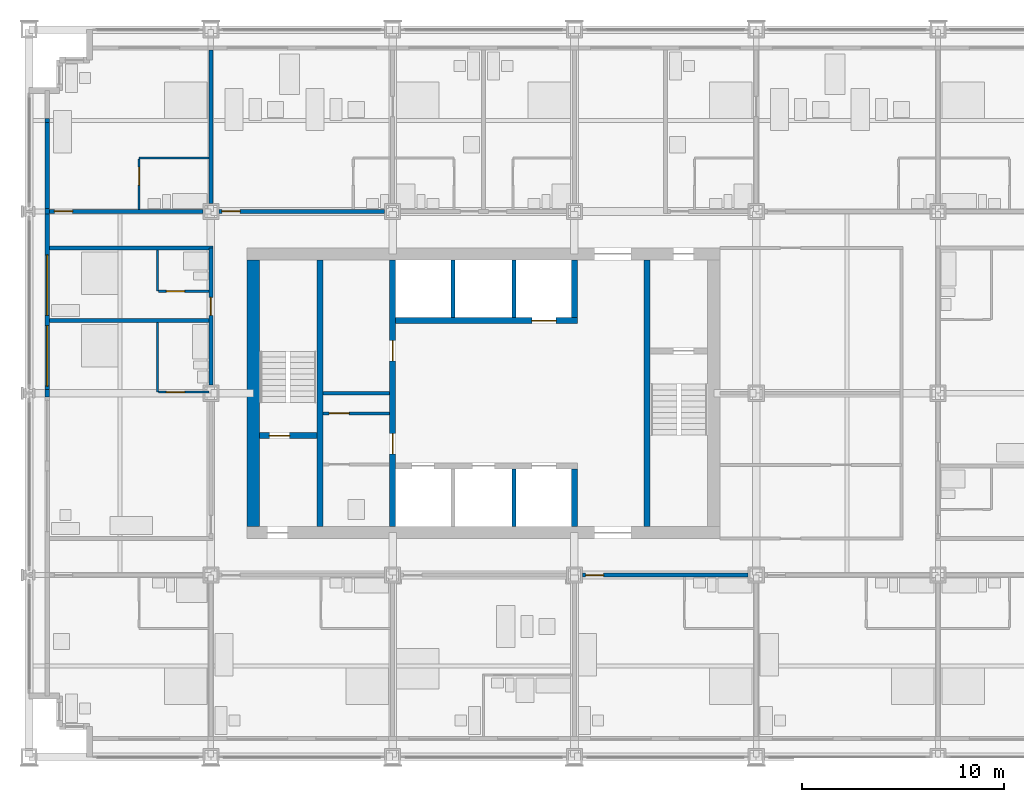
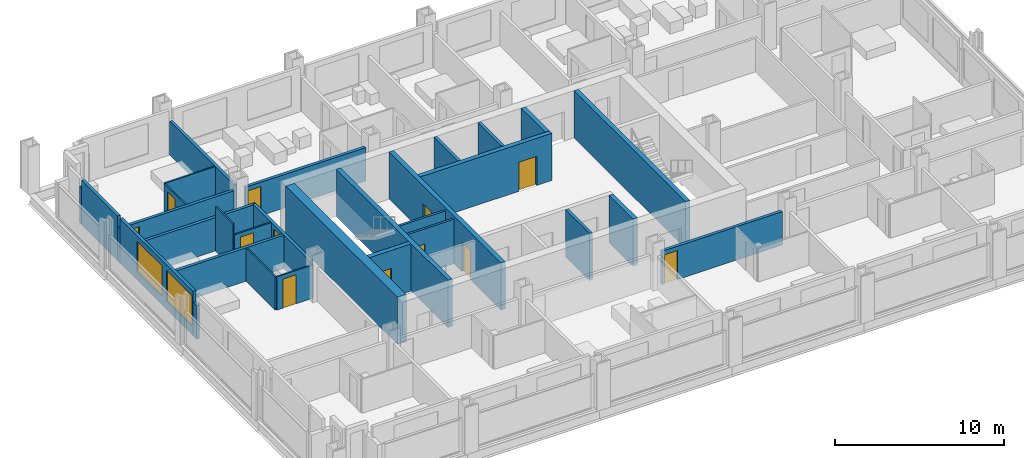
# One storey, part 11 of 18: 31 walls, 12 doors, 2 windows, 14 openings.
"""IFC4 building model written with IfcOpenShell, lengths in metres."""

from ifc_helpers import new_model, si_unit, direction, frame, frame_2d, origin, place, context, subcontext, project, spatial, rectangle, extrude, material, layer, layer_set, type_object, element, fill, save


model = new_model("IFC4")

# Units and contexts
model_context = context("Model", 3, precision=1e-05, world=origin(), true_north=direction((0.0, 1.0)))
body_context = subcontext(model_context, "Body", "Model", "MODEL_VIEW")
ifc_project = project(units=[si_unit("LENGTHUNIT", "METRE"), si_unit("AREAUNIT", "SQUARE_METRE"), si_unit("VOLUMEUNIT", "CUBIC_METRE"), si_unit("PLANEANGLEUNIT", "RADIAN"), si_unit("MASSUNIT", "GRAM", prefix="KILO")], contexts=[model_context])

# Site, building, storey
site_placement = place(None, origin())
site = spatial("IfcSite", under=ifc_project, at=site_placement, CompositionType="ELEMENT")
building_placement = place(site_placement, origin())
building = spatial("IfcBuilding", under=site, at=building_placement, Name="Loomwork Tower", CompositionType="ELEMENT")
storey_placement = place(building_placement, frame((0.0, 0.0, 45.0)))
storey = spatial("IfcBuildingStorey", under=building, at=storey_placement, Name="L10", CompositionType="ELEMENT", Elevation=45.0)

# Wall
ifc_material_1 = material(Name="Concrete 14000 psi (97 MPa)", Category="concrete")
ifc_layer_1 = layer(ifc_material_1, 0.300048828125)
ifc_layer_set_1 = layer_set([ifc_layer_1], Name="Core shear wall 300")
wall_type_1 = type_object("IfcWallType", Name="Core shear wall 300", PredefinedType="SHEAR", material=ifc_layer_set_1)
wall_1_placement = place(storey_placement, frame((14.39990234375, 11.39990234375, 0.0), z_axis=(0.0, 0.0, 1.0), x_axis=(0.0, 1.0, 0.0)))
element("IfcWall", 1, at=wall_1_placement, inside=storey, type_object=wall_type_1, Name="Stair A east wall L10", PredefinedType="SHEAR", context=body_context, shape_type="SweptSolid", body=[
    extrude(rectangle(XDim=13.2001953125, YDim=0.300048828125, at=frame_2d((6.60009765625, 0.0))), origin(), (0.0, 0.0, 1.0), 3.39990234375),
])

# Wall, opening, door
wall_2_placement = place(storey_placement, frame((11.39990234375, 15.89990234375, 0.0), z_axis=(0.0, 0.0, 1.0), x_axis=(1.0, 0.0, 0.0)))
wall_2 = element("IfcWall", 2, at=wall_2_placement, inside=storey, type_object=wall_type_1, Name="Stair A south wall L10", PredefinedType="SHEAR", context=body_context, shape_type="SweptSolid", body=[
    extrude(rectangle(XDim=2.85009765625, YDim=0.300048828125, at=frame_2d((1.425048828125, 0.0))), origin(), (0.0, 0.0, 1.0), 3.39990234375),
])
opening_1_placement = place(wall_2_placement, frame((0.5, 0.0, 0.0)))
opening_1 = element("IfcOpeningElement", 3, at=opening_1_placement, cuts=wall_2, Name="Opening D4", PredefinedType="OPENING", context=body_context, shape_type="SweptSolid", body=[
    extrude(rectangle(XDim=1.0, YDim=2.10009765625, at=frame_2d((0.5, 1.050048828125))), frame((0.0, 0.159912109375, 0.0), z_axis=(0.0, -1.0, 0.0), x_axis=(1.0, 0.0, 0.0)), (0.0, 0.0, 1.0), 0.320068359375),
])
ifc_material_2 = material(Name="Hollow metal door and frame")
door_type_1 = type_object("IfcDoorType", Name="Stair door 1000", OperationType="SINGLE_SWING_RIGHT", PredefinedType="DOOR", material=ifc_material_2)
door_1_placement = place(opening_1_placement, origin())
door_1 = element("IfcDoor", 4, at=door_1_placement, inside=storey, type_object=door_type_1, Name="Stair A door", OperationType="SINGLE_SWING_LEFT", OverallHeight=2.10009765625, OverallWidth=1.0, PredefinedType="DOOR", context=body_context, shape_type="SweptSolid", body=[
    extrude(rectangle(XDim=1.0, YDim=2.10009765625, at=frame_2d((0.5, 1.050048828125))), frame((0.0, 0.02490234375, 0.0), z_axis=(0.0, -1.0, 0.0), x_axis=(1.0, 0.0, 0.0)), (0.0, 0.0, 1.0), 0.050048828125),
])
fill(opening_1, door_1)

# Wall, openings, doors
wall_3_placement = place(storey_placement, frame((18.0, 11.39990234375, 0.0), z_axis=(0.0, 0.0, 1.0), x_axis=(0.0, 1.0, 0.0)))
wall_3 = element("IfcWall", 5, at=wall_3_placement, inside=storey, type_object=wall_type_1, Name="Lobby west wall L10", PredefinedType="SHEAR", context=body_context, shape_type="SweptSolid", body=[
    extrude(rectangle(XDim=13.2001953125, YDim=0.300048828125, at=frame_2d((6.60009765625, 0.0))), origin(), (0.0, 0.0, 1.0), 3.39990234375),
])
opening_2_placement = place(wall_3_placement, frame((3.60009765625, 0.0, 0.0)))
opening_2 = element("IfcOpeningElement", 6, at=opening_2_placement, cuts=wall_3, Name="Opening D5", PredefinedType="OPENING", context=body_context, shape_type="SweptSolid", body=[
    extrude(rectangle(XDim=1.0, YDim=2.10009765625, at=frame_2d((0.5, 1.050048828125))), frame((0.0, 0.159912109375, 0.0), z_axis=(0.0, -1.0, 0.0), x_axis=(1.0, 0.0, 0.0)), (0.0, 0.0, 1.0), 0.320068359375),
])
opening_3_placement = place(wall_3_placement, frame((8.199951171875, 0.0, 0.0)))
opening_3 = element("IfcOpeningElement", 7, at=opening_3_placement, cuts=wall_3, Name="Opening D5", PredefinedType="OPENING", context=body_context, shape_type="SweptSolid", body=[
    extrude(rectangle(XDim=1.0, YDim=2.10009765625, at=frame_2d((0.5, 1.050048828125))), frame((0.0, 0.159912109375, 0.0), z_axis=(0.0, -1.0, 0.0), x_axis=(1.0, 0.0, 0.0)), (0.0, 0.0, 1.0), 0.320068359375),
])
ifc_material_3 = material(Name="Hollow metal door and frame")
door_type_2 = type_object("IfcDoorType", Name="Service door 1000", OperationType="SINGLE_SWING_LEFT", PredefinedType="DOOR", material=ifc_material_3)
door_2_placement = place(opening_2_placement, origin())
door_2 = element("IfcDoor", 8, at=door_2_placement, inside=storey, type_object=door_type_2, Name="Back-of-house door south", OperationType="SINGLE_SWING_LEFT", OverallHeight=2.10009765625, OverallWidth=1.0, PredefinedType="DOOR", context=body_context, shape_type="SweptSolid", body=[
    extrude(rectangle(XDim=1.0, YDim=2.10009765625, at=frame_2d((0.5, 1.050048828125))), frame((0.0, 0.02490234375, 0.0), z_axis=(0.0, -1.0, 0.0), x_axis=(1.0, 0.0, 0.0)), (0.0, 0.0, 1.0), 0.050048828125),
])
fill(opening_2, door_2)
door_3_placement = place(opening_3_placement, origin())
door_3 = element("IfcDoor", 9, at=door_3_placement, inside=storey, type_object=door_type_2, Name="Back-of-house door north", OperationType="SINGLE_SWING_RIGHT", OverallHeight=2.10009765625, OverallWidth=1.0, PredefinedType="DOOR", context=body_context, shape_type="SweptSolid", body=[
    extrude(rectangle(XDim=1.0, YDim=2.10009765625, at=frame_2d((0.5, 1.050048828125))), frame((0.0, 0.02490234375, 0.0), z_axis=(0.0, -1.0, 0.0), x_axis=(1.0, 0.0, 0.0)), (0.0, 0.0, 1.0), 0.050048828125),
])
fill(opening_3, door_3)

# Wall
wall_4_placement = place(storey_placement, frame((27.0, 11.39990234375, 0.0), z_axis=(0.0, 0.0, 1.0), x_axis=(0.0, 1.0, 0.0)))
element("IfcWall", 10, at=wall_4_placement, inside=storey, type_object=wall_type_1, Name="Lift shaft end wall south L10", PredefinedType="SHEAR", context=body_context, shape_type="SweptSolid", body=[
    extrude(rectangle(XDim=2.85009765625, YDim=0.300048828125, at=frame_2d((1.425048828125, 0.0))), origin(), (0.0, 0.0, 1.0), 3.39990234375),
])

# Wall, opening, door
wall_5_placement = place(storey_placement, frame((18.14990234375, 21.60009765625, 0.0), z_axis=(0.0, 0.0, 1.0), x_axis=(1.0, 0.0, 0.0)))
wall_5 = element("IfcWall", 11, at=wall_5_placement, inside=storey, type_object=wall_type_1, Name="Lift front wall north L10", PredefinedType="SHEAR", context=body_context, shape_type="SweptSolid", body=[
    extrude(rectangle(XDim=9.0, YDim=0.300048828125, at=frame_2d((4.5, 0.0))), origin(), (0.0, 0.0, 1.0), 3.39990234375),
])
opening_4_placement = place(wall_5_placement, frame((6.75, 0.0, 0.0)))
opening_4 = element("IfcOpeningElement", 12, at=opening_4_placement, cuts=wall_5, Name="Opening LD2", PredefinedType="OPENING", context=body_context, shape_type="SweptSolid", body=[
    extrude(rectangle(XDim=1.199951171875, YDim=2.10009765625, at=frame_2d((0.60009765625, 1.050048828125))), frame((0.0, 0.159912109375, 0.0), z_axis=(0.0, -1.0, 0.0), x_axis=(1.0, 0.0, 0.0)), (0.0, 0.0, 1.0), 0.320068359375),
])
ifc_material_4 = material(Name="Hollow metal door and frame")
door_type_3 = type_object("IfcDoorType", Name="Lift landing door 1200", OperationType="SLIDING_TO_LEFT", PredefinedType="DOOR", material=ifc_material_4)
door_4_placement = place(opening_4_placement, origin())
door_4 = element("IfcDoor", 13, at=door_4_placement, inside=storey, type_object=door_type_3, Name="Lift landing door LF2", OperationType="SLIDING_TO_LEFT", OverallHeight=2.10009765625, OverallWidth=1.199951171875, PredefinedType="DOOR", context=body_context, shape_type="SweptSolid", body=[
    extrude(rectangle(XDim=1.199951171875, YDim=2.10009765625, at=frame_2d((0.60009765625, 1.050048828125))), frame((0.0, 0.02490234375, 0.0), z_axis=(0.0, -1.0, 0.0), x_axis=(1.0, 0.0, 0.0)), (0.0, 0.0, 1.0), 0.050048828125),
])
fill(opening_4, door_4)

# Walls
wall_6_placement = place(storey_placement, frame((27.0, 21.75, 0.0), z_axis=(0.0, 0.0, 1.0), x_axis=(0.0, 1.0, 0.0)))
element("IfcWall", 14, at=wall_6_placement, inside=storey, type_object=wall_type_1, Name="Lift shaft end wall north L10", PredefinedType="SHEAR", context=body_context, shape_type="SweptSolid", body=[
    extrude(rectangle(XDim=2.85009765625, YDim=0.300048828125, at=frame_2d((1.425048828125, 0.0))), origin(), (0.0, 0.0, 1.0), 3.39990234375),
])
wall_7_placement = place(storey_placement, frame((30.60009765625, 11.39990234375, 0.0), z_axis=(0.0, 0.0, 1.0), x_axis=(0.0, 1.0, 0.0)))
element("IfcWall", 15, at=wall_7_placement, inside=storey, type_object=wall_type_1, Name="Stair B west wall L10", PredefinedType="SHEAR", context=body_context, shape_type="SweptSolid", body=[
    extrude(rectangle(XDim=13.2001953125, YDim=0.300048828125, at=frame_2d((6.60009765625, 0.0))), origin(), (0.0, 0.0, 1.0), 3.39990234375),
])
ifc_material_5 = material(Name="Concrete 14000 psi (97 MPa)", Category="concrete")
ifc_layer_2 = layer(ifc_material_5, 0.60009765625)
ifc_layer_set_2 = layer_set([ifc_layer_2], Name="Core shear wall 600")
wall_type_2 = type_object("IfcWallType", Name="Core shear wall 600", PredefinedType="SHEAR", material=ifc_layer_set_2)
wall_8_placement = place(storey_placement, frame((11.10009765625, 11.39990234375, 0.0), z_axis=(0.0, 0.0, 1.0), x_axis=(0.0, 1.0, 0.0)))
element("IfcWall", 16, at=wall_8_placement, inside=storey, type_object=wall_type_2, Name="Core wall west L10", PredefinedType="SHEAR", context=body_context, shape_type="SweptSolid", body=[
    extrude(rectangle(XDim=13.2001953125, YDim=0.60009765625, at=frame_2d((6.60009765625, 0.0))), origin(), (0.0, 0.0, 1.0), 3.39990234375),
])

# Wall, opening, door
ifc_material_6 = material(Name="Gypsum board on steel studs, one-hour", Category="steel")
ifc_layer_3 = layer(ifc_material_6, 0.199951171875)
ifc_layer_set_3 = layer_set([ifc_layer_3], Name="Corridor wall 200")
wall_type_3 = type_object("IfcWallType", Name="Corridor wall 200", PredefinedType="PARTITIONING", material=ifc_layer_set_3)
wall_9_placement = place(storey_placement, frame((27.39990234375, 9.0, 0.0), z_axis=(0.0, 0.0, 1.0), x_axis=(1.0, 0.0, 0.0)))
wall_9 = element("IfcWall", 17, at=wall_9_placement, inside=storey, type_object=wall_type_3, Name="South corridor wall 4", PredefinedType="PARTITIONING", context=body_context, shape_type="SweptSolid", body=[
    extrude(rectangle(XDim=8.2001953125, YDim=0.199951171875, at=frame_2d((4.10009765625, 0.0))), origin(), (0.0, 0.0, 1.0), 2.405029296875),
])
opening_5_placement = place(wall_9_placement, frame((0.14990234375, 0.0, 0.0)))
opening_5 = element("IfcOpeningElement", 18, at=opening_5_placement, cuts=wall_9, Name="Opening D1", PredefinedType="OPENING", context=body_context, shape_type="SweptSolid", body=[
    extrude(rectangle(XDim=0.89990234375, YDim=2.10009765625, at=frame_2d((0.449951171875, 1.050048828125))), frame((0.0, 0.10986328125, 0.0), z_axis=(0.0, -1.0, 0.0), x_axis=(1.0, 0.0, 0.0)), (0.0, 0.0, 1.0), 0.219970703125),
])
ifc_material_7 = material(Name="Hollow metal door and frame")
door_type_4 = type_object("IfcDoorType", Name="Guest room entry door 900", OperationType="SINGLE_SWING_LEFT", PredefinedType="DOOR", material=ifc_material_7)
door_5_placement = place(opening_5_placement, frame((0.89990234375, 0.0, 0.0), z_axis=(0.0, 0.0, 1.0), x_axis=(-1.0, 0.0, 0.0)))
door_5 = element("IfcDoor", 19, at=door_5_placement, inside=storey, type_object=door_type_4, Name="Guest room entry door L10 4", OperationType="SINGLE_SWING_RIGHT", OverallHeight=2.10009765625, OverallWidth=0.89990234375, PredefinedType="DOOR", context=body_context, shape_type="SweptSolid", body=[
    extrude(rectangle(XDim=0.89990234375, YDim=2.10009765625, at=frame_2d((0.449951171875, 1.050048828125))), frame((0.0, 0.02490234375, 0.0), z_axis=(0.0, -1.0, 0.0), x_axis=(1.0, 0.0, 0.0)), (0.0, 0.0, 1.0), 0.050048828125),
])
fill(opening_5, door_5)

wall_10_placement = place(storey_placement, frame((1.0, 27.0, 0.0), z_axis=(0.0, 0.0, 1.0), x_axis=(1.0, 0.0, 0.0)))
wall_10 = element("IfcWall", 20, at=wall_10_placement, inside=storey, type_object=wall_type_3, Name="North corridor wall 1", PredefinedType="PARTITIONING", context=body_context, shape_type="SweptSolid", body=[
    extrude(rectangle(XDim=7.60009765625, YDim=0.199951171875, at=frame_2d((3.800048828125, 0.0))), origin(), (0.0, 0.0, 1.0), 2.43798828125),
])
opening_6_placement = place(wall_10_placement, frame((0.25, 0.0, 0.0)))
opening_6 = element("IfcOpeningElement", 21, at=opening_6_placement, cuts=wall_10, Name="Opening D1", PredefinedType="OPENING", context=body_context, shape_type="SweptSolid", body=[
    extrude(rectangle(XDim=0.89990234375, YDim=2.10009765625, at=frame_2d((0.449951171875, 1.050048828125))), frame((0.0, 0.10986328125, 0.0), z_axis=(0.0, -1.0, 0.0), x_axis=(1.0, 0.0, 0.0)), (0.0, 0.0, 1.0), 0.219970703125),
])
door_6_placement = place(opening_6_placement, origin())
door_6 = element("IfcDoor", 22, at=door_6_placement, inside=storey, type_object=door_type_4, Name="Guest room entry door L10 7", OperationType="SINGLE_SWING_LEFT", OverallHeight=2.10009765625, OverallWidth=0.89990234375, PredefinedType="DOOR", context=body_context, shape_type="SweptSolid", body=[
    extrude(rectangle(XDim=0.89990234375, YDim=2.10009765625, at=frame_2d((0.449951171875, 1.050048828125))), frame((0.0, 0.02490234375, 0.0), z_axis=(0.0, -1.0, 0.0), x_axis=(1.0, 0.0, 0.0)), (0.0, 0.0, 1.0), 0.050048828125),
])
fill(opening_6, door_6)

wall_11_placement = place(storey_placement, frame((9.39990234375, 27.0, 0.0), z_axis=(0.0, 0.0, 1.0), x_axis=(1.0, 0.0, 0.0)))
wall_11 = element("IfcWall", 23, at=wall_11_placement, inside=storey, type_object=wall_type_3, Name="North corridor wall 2", PredefinedType="PARTITIONING", context=body_context, shape_type="SweptSolid", body=[
    extrude(rectangle(XDim=8.2001953125, YDim=0.199951171875, at=frame_2d((4.10009765625, 0.0))), origin(), (0.0, 0.0, 1.0), 2.405029296875),
])
opening_7_placement = place(wall_11_placement, frame((0.14990234375, 0.0, 0.0)))
opening_7 = element("IfcOpeningElement", 24, at=opening_7_placement, cuts=wall_11, Name="Opening D1", PredefinedType="OPENING", context=body_context, shape_type="SweptSolid", body=[
    extrude(rectangle(XDim=0.89990234375, YDim=2.10009765625, at=frame_2d((0.449951171875, 1.050048828125))), frame((0.0, 0.10986328125, 0.0), z_axis=(0.0, -1.0, 0.0), x_axis=(1.0, 0.0, 0.0)), (0.0, 0.0, 1.0), 0.219970703125),
])
door_7_placement = place(opening_7_placement, origin())
door_7 = element("IfcDoor", 25, at=door_7_placement, inside=storey, type_object=door_type_4, Name="Guest room entry door L10 8", OperationType="SINGLE_SWING_LEFT", OverallHeight=2.10009765625, OverallWidth=0.89990234375, PredefinedType="DOOR", context=body_context, shape_type="SweptSolid", body=[
    extrude(rectangle(XDim=0.89990234375, YDim=2.10009765625, at=frame_2d((0.449951171875, 1.050048828125))), frame((0.0, 0.02490234375, 0.0), z_axis=(0.0, -1.0, 0.0), x_axis=(1.0, 0.0, 0.0)), (0.0, 0.0, 1.0), 0.050048828125),
])
fill(opening_7, door_7)

wall_12_placement = place(storey_placement, frame((9.0, 18.39990234375, 0.0), z_axis=(0.0, 0.0, 1.0), x_axis=(0.0, 1.0, 0.0)))
wall_12 = element("IfcWall", 26, at=wall_12_placement, inside=storey, type_object=wall_type_3, Name="West corridor wall 2", PredefinedType="PARTITIONING", context=body_context, shape_type="SweptSolid", body=[
    extrude(rectangle(XDim=6.800048828125, YDim=0.199951171875, at=frame_2d((3.39990234375, 0.0))), origin(), (0.0, 0.0, 1.0), 2.405029296875),
])
opening_8_placement = place(wall_12_placement, frame((3.449951171875, 0.0, 0.0)))
opening_8 = element("IfcOpeningElement", 27, at=opening_8_placement, cuts=wall_12, Name="Opening D1", PredefinedType="OPENING", context=body_context, shape_type="SweptSolid", body=[
    extrude(rectangle(XDim=0.89990234375, YDim=2.10009765625, at=frame_2d((0.449951171875, 1.050048828125))), frame((0.0, 0.10986328125, 0.0), z_axis=(0.0, -1.0, 0.0), x_axis=(1.0, 0.0, 0.0)), (0.0, 0.0, 1.0), 0.219970703125),
])
door_8_placement = place(opening_8_placement, origin())
door_8 = element("IfcDoor", 28, at=door_8_placement, inside=storey, type_object=door_type_4, Name="Guest room entry door L10 15", OperationType="SINGLE_SWING_LEFT", OverallHeight=2.10009765625, OverallWidth=0.89990234375, PredefinedType="DOOR", context=body_context, shape_type="SweptSolid", body=[
    extrude(rectangle(XDim=0.89990234375, YDim=2.10009765625, at=frame_2d((0.449951171875, 1.050048828125))), frame((0.0, 0.02490234375, 0.0), z_axis=(0.0, -1.0, 0.0), x_axis=(1.0, 0.0, 0.0)), (0.0, 0.0, 1.0), 0.050048828125),
])
fill(opening_8, door_8)

# Walls
wall_13_placement = place(storey_placement, frame((1.0, 25.199951171875, 0.0), z_axis=(0.0, 0.0, 1.0), x_axis=(1.0, 0.0, 0.0)))
element("IfcWall", 29, at=wall_13_placement, inside=storey, type_object=wall_type_3, Name="West band end wall N", PredefinedType="PARTITIONING", context=body_context, shape_type="SweptSolid", body=[
    extrude(rectangle(XDim=8.10009765625, YDim=0.199951171875, at=frame_2d((4.050048828125, 0.0))), origin(), (0.0, 0.0, 1.0), 2.404052734375),
])
ifc_material_8 = material(Name="Cement board on steel studs", Category="steel")
ifc_layer_4 = layer(ifc_material_8, 0.10009765625)
ifc_layer_set_4 = layer_set([ifc_layer_4], Name="En-suite partition 100")
wall_type_4 = type_object("IfcWallType", Name="En-suite partition 100", PredefinedType="PARTITIONING", material=ifc_layer_set_4)
wall_14_placement = place(storey_placement, frame((5.449951171875, 29.64990234375, 0.0), z_axis=(0.0, 0.0, 1.0), x_axis=(1.0, 0.0, 0.0)))
element("IfcWall", 30, at=wall_14_placement, inside=storey, type_object=wall_type_4, Name="En-suite wall L10 room 7", PredefinedType="PARTITIONING", context=body_context, shape_type="SweptSolid", body=[
    extrude(rectangle(XDim=3.449951171875, YDim=0.10009765625, at=frame_2d((1.72509765625, 0.0))), origin(), (0.0, 0.0, 1.0), 2.43798828125),
])

# Wall, opening, door
wall_15_placement = place(storey_placement, frame((5.449951171875, 27.10009765625, 0.0), z_axis=(0.0, 0.0, 1.0), x_axis=(0.0, 1.0, 0.0)))
wall_15 = element("IfcWall", 31, at=wall_15_placement, inside=storey, type_object=wall_type_4, Name="En-suite side wall L10 room 7", PredefinedType="PARTITIONING", context=body_context, shape_type="SweptSolid", body=[
    extrude(rectangle(XDim=2.5, YDim=0.10009765625, at=frame_2d((1.25, 0.0))), origin(), (0.0, 0.0, 1.0), 2.43798828125),
])
opening_9_placement = place(wall_15_placement, frame((1.199951171875, 0.0, 0.0)))
opening_9 = element("IfcOpeningElement", 32, at=opening_9_placement, cuts=wall_15, Name="Opening D2", PredefinedType="OPENING", context=body_context, shape_type="SweptSolid", body=[
    extrude(rectangle(XDim=0.89990234375, YDim=2.10009765625, at=frame_2d((0.449951171875, 1.050048828125))), frame((0.0, 0.06005859375, 0.0), z_axis=(0.0, -1.0, 0.0), x_axis=(1.0, 0.0, 0.0)), (0.0, 0.0, 1.0), 0.1201171875),
])
ifc_material_9 = material(Name="Hollow metal door and frame")
door_type_5 = type_object("IfcDoorType", Name="En-suite door 900", OperationType="SINGLE_SWING_LEFT", PredefinedType="DOOR", material=ifc_material_9)
door_9_placement = place(opening_9_placement, frame((0.89990234375, 0.0, 0.0), z_axis=(0.0, 0.0, 1.0), x_axis=(-1.0, 0.0, 0.0)))
door_9 = element("IfcDoor", 33, at=door_9_placement, inside=storey, type_object=door_type_5, Name="En-suite door room 7", OperationType="SINGLE_SWING_LEFT", OverallHeight=2.10009765625, OverallWidth=0.89990234375, PredefinedType="DOOR", context=body_context, shape_type="SweptSolid", body=[
    extrude(rectangle(XDim=0.89990234375, YDim=2.10009765625, at=frame_2d((0.449951171875, 1.050048828125))), frame((0.0, 0.02490234375, 0.0), z_axis=(0.0, -1.0, 0.0), x_axis=(1.0, 0.0, 0.0)), (0.0, 0.0, 1.0), 0.050048828125),
])
fill(opening_9, door_9)

# Wall
wall_16_placement = place(storey_placement, frame((6.35009765625, 18.050048828125, 0.0), z_axis=(0.0, 0.0, 1.0), x_axis=(0.0, 1.0, 0.0)))
element("IfcWall", 34, at=wall_16_placement, inside=storey, type_object=wall_type_4, Name="En-suite wall L10 room 14", PredefinedType="PARTITIONING", context=body_context, shape_type="SweptSolid", body=[
    extrude(rectangle(XDim=3.449951171875, YDim=0.10009765625, at=frame_2d((1.72509765625, 0.0))), origin(), (0.0, 0.0, 1.0), 2.404052734375),
])

# Wall, opening, door
wall_17_placement = place(storey_placement, frame((8.89990234375, 18.050048828125, 0.0), z_axis=(0.0, 0.0, 1.0), x_axis=(-1.0, 0.0, 0.0)))
wall_17 = element("IfcWall", 35, at=wall_17_placement, inside=storey, type_object=wall_type_4, Name="En-suite side wall L10 room 14", PredefinedType="PARTITIONING", context=body_context, shape_type="SweptSolid", body=[
    extrude(rectangle(XDim=2.5, YDim=0.10009765625, at=frame_2d((1.25, 0.0))), origin(), (0.0, 0.0, 1.0), 2.405029296875),
])
opening_10_placement = place(wall_17_placement, frame((1.199951171875, 0.0, 0.0)))
opening_10 = element("IfcOpeningElement", 36, at=opening_10_placement, cuts=wall_17, Name="Opening D2", PredefinedType="OPENING", context=body_context, shape_type="SweptSolid", body=[
    extrude(rectangle(XDim=0.89990234375, YDim=2.10009765625, at=frame_2d((0.449951171875, 1.050048828125))), frame((0.0, 0.06005859375, 0.0), z_axis=(0.0, -1.0, 0.0), x_axis=(1.0, 0.0, 0.0)), (0.0, 0.0, 1.0), 0.1201171875),
])
door_10_placement = place(opening_10_placement, frame((0.89990234375, 0.0, 0.0), z_axis=(0.0, 0.0, 1.0), x_axis=(-1.0, 0.0, 0.0)))
door_10 = element("IfcDoor", 37, at=door_10_placement, inside=storey, type_object=door_type_5, Name="En-suite door room 14", OperationType="SINGLE_SWING_LEFT", OverallHeight=2.10009765625, OverallWidth=0.89990234375, PredefinedType="DOOR", context=body_context, shape_type="SweptSolid", body=[
    extrude(rectangle(XDim=0.89990234375, YDim=2.10009765625, at=frame_2d((0.449951171875, 1.050048828125))), frame((0.0, 0.02490234375, 0.0), z_axis=(0.0, -1.0, 0.0), x_axis=(1.0, 0.0, 0.0)), (0.0, 0.0, 1.0), 0.050048828125),
])
fill(opening_10, door_10)

# Wall
wall_18_placement = place(storey_placement, frame((6.35009765625, 23.050048828125, 0.0), z_axis=(0.0, 0.0, 1.0), x_axis=(0.0, 1.0, 0.0)))
element("IfcWall", 38, at=wall_18_placement, inside=storey, type_object=wall_type_4, Name="En-suite wall L10 room 15", PredefinedType="PARTITIONING", context=body_context, shape_type="SweptSolid", body=[
    extrude(rectangle(XDim=2.050048828125, YDim=0.10009765625, at=frame_2d((1.02490234375, 0.0))), origin(), (0.0, 0.0, 1.0), 3.199951171875),
])

# Wall, opening, door
wall_19_placement = place(storey_placement, frame((8.89990234375, 23.050048828125, 0.0), z_axis=(0.0, 0.0, 1.0), x_axis=(-1.0, 0.0, 0.0)))
wall_19 = element("IfcWall", 39, at=wall_19_placement, inside=storey, type_object=wall_type_4, Name="En-suite side wall L10 room 15", PredefinedType="PARTITIONING", context=body_context, shape_type="SweptSolid", body=[
    extrude(rectangle(XDim=2.5, YDim=0.10009765625, at=frame_2d((1.25, 0.0))), origin(), (0.0, 0.0, 1.0), 2.404052734375),
])
opening_11_placement = place(wall_19_placement, frame((1.199951171875, 0.0, 0.0)))
opening_11 = element("IfcOpeningElement", 40, at=opening_11_placement, cuts=wall_19, Name="Opening D2", PredefinedType="OPENING", context=body_context, shape_type="SweptSolid", body=[
    extrude(rectangle(XDim=0.89990234375, YDim=2.10009765625, at=frame_2d((0.449951171875, 1.050048828125))), frame((0.0, 0.06005859375, 0.0), z_axis=(0.0, -1.0, 0.0), x_axis=(1.0, 0.0, 0.0)), (0.0, 0.0, 1.0), 0.1201171875),
])
door_11_placement = place(opening_11_placement, frame((0.89990234375, 0.0, 0.0), z_axis=(0.0, 0.0, 1.0), x_axis=(-1.0, 0.0, 0.0)))
door_11 = element("IfcDoor", 41, at=door_11_placement, inside=storey, type_object=door_type_5, Name="En-suite door room 15", OperationType="SINGLE_SWING_LEFT", OverallHeight=2.10009765625, OverallWidth=0.89990234375, PredefinedType="DOOR", context=body_context, shape_type="SweptSolid", body=[
    extrude(rectangle(XDim=0.89990234375, YDim=2.10009765625, at=frame_2d((0.449951171875, 1.050048828125))), frame((0.0, 0.02490234375, 0.0), z_axis=(0.0, -1.0, 0.0), x_axis=(1.0, 0.0, 0.0)), (0.0, 0.0, 1.0), 0.050048828125),
])
fill(opening_11, door_11)

# Walls
ifc_material_10 = material(Name="Gypsum board on steel studs, acoustic", Category="steel")
ifc_layer_5 = layer(ifc_material_10, 0.199951171875)
ifc_layer_set_5 = layer_set([ifc_layer_5], Name="Guest room party wall 200")
wall_type_5 = type_object("IfcWallType", Name="Guest room party wall 200", PredefinedType="PARTITIONING", material=ifc_layer_set_5)
wall_20_placement = place(storey_placement, frame((9.0, 27.39990234375, 0.0), z_axis=(0.0, 0.0, 1.0), x_axis=(0.0, 1.0, 0.0)))
element("IfcWall", 42, at=wall_20_placement, inside=storey, type_object=wall_type_5, Name="Guest room party wall N 9", PredefinedType="PARTITIONING", context=body_context, shape_type="SweptSolid", body=[
    extrude(rectangle(XDim=7.60009765625, YDim=0.199951171875, at=frame_2d((3.800048828125, 0.0))), origin(), (0.0, 0.0, 1.0), 2.43798828125),
])
wall_21_placement = place(storey_placement, frame((8.89990234375, 21.60009765625, 0.0), z_axis=(0.0, 0.0, 1.0), x_axis=(-1.0, 0.0, 0.0)))
element("IfcWall", 43, at=wall_21_placement, inside=storey, type_object=wall_type_5, Name="Guest room party wall W 21.6", PredefinedType="PARTITIONING", context=body_context, shape_type="SweptSolid", body=[
    extrude(rectangle(XDim=7.89990234375, YDim=0.199951171875, at=frame_2d((3.949951171875, 0.0))), origin(), (0.0, 0.0, 1.0), 2.404052734375),
])
ifc_material_11 = material(Name="Insulated steel stud wall with gypsum lining", Category="steel")
ifc_layer_6 = layer(ifc_material_11, 0.199951171875)
ifc_layer_set_6 = layer_set([ifc_layer_6], Name="Inner skin wall 200")
wall_type_6 = type_object("IfcWallType", Name="Inner skin wall 200", PredefinedType="SOLIDWALL", material=ifc_layer_set_6)
wall_22_placement = place(storey_placement, frame((0.89990234375, 17.80615234375, 0.0), z_axis=(0.0, 0.0, 1.0), x_axis=(0.0, 1.0, 0.0)))
element("IfcWall", 44, at=wall_22_placement, inside=storey, type_object=wall_type_6, Name="Inner skin wall W bay 6", PredefinedType="SOLIDWALL", context=body_context, shape_type="SweptSolid", body=[
    extrude(rectangle(XDim=0.3876953125, YDim=0.199951171875, at=frame_2d((0.19384765625, 0.0))), origin(), (0.0, 0.0, 1.0), 2.404052734375),
])

# Wall, openings, windows
wall_23_placement = place(storey_placement, frame((0.89990234375, 18.19384765625, 0.0), z_axis=(0.0, 0.0, 1.0), x_axis=(0.0, 1.0, 0.0)))
wall_23 = element("IfcWall", 45, at=wall_23_placement, inside=storey, type_object=wall_type_6, Name="Inner skin wall W bay 7", PredefinedType="SOLIDWALL", context=body_context, shape_type="SweptSolid", body=[
    extrude(rectangle(XDim=8.6708984375, YDim=0.199951171875, at=frame_2d((4.33544921875, 0.0))), origin(), (0.0, 0.0, 1.0), 3.199951171875),
])
opening_12_placement = place(wall_23_placement, frame((0.15625, 0.0, 0.60009765625)))
opening_12 = element("IfcOpeningElement", 46, at=opening_12_placement, cuts=wall_23, Name="Opening CH1", PredefinedType="OPENING", context=body_context, shape_type="SweptSolid", body=[
    extrude(rectangle(XDim=3.0, YDim=2.199951171875, at=frame_2d((1.5, 1.10009765625))), frame((0.0, 0.10986328125, 0.0), z_axis=(0.0, -1.0, 0.0), x_axis=(1.0, 0.0, 0.0)), (0.0, 0.0, 1.0), 0.219970703125),
])
opening_13_placement = place(wall_23_placement, frame((3.65625, 0.0, 0.60009765625)))
opening_13 = element("IfcOpeningElement", 47, at=opening_13_placement, cuts=wall_23, Name="Opening CH1", PredefinedType="OPENING", context=body_context, shape_type="SweptSolid", body=[
    extrude(rectangle(XDim=3.0, YDim=2.199951171875, at=frame_2d((1.5, 1.10009765625))), frame((0.0, 0.10986328125, 0.0), z_axis=(0.0, -1.0, 0.0), x_axis=(1.0, 0.0, 0.0)), (0.0, 0.0, 1.0), 0.219970703125),
])
ifc_material_12 = material(Name="Aluminium frame with clear insulated glass", Category="aluminium")
window_type = type_object("IfcWindowType", Name="Chicago window 3000", PartitioningType="TRIPLE_PANEL_VERTICAL", PredefinedType="WINDOW", material=ifc_material_12)
window_1_placement = place(opening_12_placement, origin())
window_1 = element("IfcWindow", 48, at=window_1_placement, inside=storey, type_object=window_type, Name="Chicago window L10 bay 14", OverallHeight=2.199951171875, OverallWidth=3.0, PartitioningType="TRIPLE_PANEL_VERTICAL", PredefinedType="WINDOW", context=body_context, shape_type="SweptSolid", body=[
    extrude(rectangle(XDim=3.0, YDim=2.199951171875, at=frame_2d((1.5, 1.10009765625))), frame((0.0, 0.030029296875, 0.0), z_axis=(0.0, -1.0, 0.0), x_axis=(1.0, 0.0, 0.0)), (0.0, 0.0, 1.0), 0.06005859375),
])
fill(opening_12, window_1)
window_2_placement = place(opening_13_placement, origin())
window_2 = element("IfcWindow", 49, at=window_2_placement, inside=storey, type_object=window_type, Name="Chicago window L10 bay 14", OverallHeight=2.199951171875, OverallWidth=3.0, PartitioningType="TRIPLE_PANEL_VERTICAL", PredefinedType="WINDOW", context=body_context, shape_type="SweptSolid", body=[
    extrude(rectangle(XDim=3.0, YDim=2.199951171875, at=frame_2d((1.5, 1.10009765625))), frame((0.0, 0.030029296875, 0.0), z_axis=(0.0, -1.0, 0.0), x_axis=(1.0, 0.0, 0.0)), (0.0, 0.0, 1.0), 0.06005859375),
])
fill(opening_13, window_2)

# Walls
wall_24_placement = place(storey_placement, frame((0.89990234375, 26.86474609375, 0.0), z_axis=(0.0, 0.0, 1.0), x_axis=(0.0, 1.0, 0.0)))
element("IfcWall", 50, at=wall_24_placement, inside=storey, type_object=wall_type_6, Name="Inner skin wall W bay 8", PredefinedType="SOLIDWALL", context=body_context, shape_type="SweptSolid", body=[
    extrude(rectangle(XDim=0.2705078125, YDim=0.199951171875, at=frame_2d((0.13525390625, 0.0))), origin(), (0.0, 0.0, 1.0), 2.43798828125),
])
wall_25_placement = place(storey_placement, frame((0.89990234375, 27.13525390625, 0.0), z_axis=(0.0, 0.0, 1.0), x_axis=(0.0, 1.0, 0.0)))
element("IfcWall", 51, at=wall_25_placement, inside=storey, type_object=wall_type_6, Name="Inner skin wall W bay 9", PredefinedType="SOLIDWALL", context=body_context, shape_type="SweptSolid", body=[
    extrude(rectangle(XDim=4.25732421875, YDim=0.199951171875, at=frame_2d((2.128662109375, 0.0))), origin(), (0.0, 0.0, 1.0), 3.199951171875),
])
wall_26_placement = place(storey_placement, frame((0.89990234375, 31.392578125, 0.0), z_axis=(0.0, 0.0, 1.0), x_axis=(0.0, 1.0, 0.0)))
element("IfcWall", 52, at=wall_26_placement, inside=storey, type_object=wall_type_6, Name="Inner skin wall W bay 10", PredefinedType="SOLIDWALL", context=body_context, shape_type="SweptSolid", body=[
    extrude(rectangle(XDim=0.21484375, YDim=0.199951171875, at=frame_2d((0.107421875, 0.0))), origin(), (0.0, 0.0, 1.0), 2.660888671875),
])
ifc_material_13 = material(Name="Concrete 14000 psi (97 MPa)", Category="concrete")
ifc_layer_7 = layer(ifc_material_13, 0.199951171875)
ifc_layer_set_7 = layer_set([ifc_layer_7], Name="Lift shaft wall 200")
wall_type_7 = type_object("IfcWallType", Name="Lift shaft wall 200", PredefinedType="SHEAR", material=ifc_layer_set_7)
for number, where, z_axis, x_axis, name in (
    (53, (24.0, 11.39990234375, 0.0), (0.0, 0.0, 1.0), (0.0, 1.0, 0.0), "Lift shaft separation wall south 2 L10"),
    (54, (21.0, 21.75, 0.0), (0.0, 0.0, 1.0), (0.0, 1.0, 0.0), "Lift shaft separation wall north 1 L10"),
    (55, (24.0, 21.75, 0.0), (0.0, 0.0, 1.0), (0.0, 1.0, 0.0), "Lift shaft separation wall north 2 L10"),
):
    element("IfcWall", number, at=place(storey_placement, frame(where, z_axis=z_axis, x_axis=x_axis)), inside=storey, type_object=wall_type_7, Name=name, PredefinedType="SHEAR", context=body_context, shape_type="SweptSolid", body=[
        extrude(rectangle(XDim=2.85009765625, YDim=0.199951171875, at=frame_2d((1.425048828125, 0.0))), origin(), (0.0, 0.0, 1.0), 3.39990234375),
    ])
ifc_material_14 = material(Name="Gypsum board on steel studs", Category="steel")
ifc_layer_8 = layer(ifc_material_14, 0.14990234375)
ifc_layer_set_8 = layer_set([ifc_layer_8], Name="Partition 150 two-hour")
wall_type_8 = type_object("IfcWallType", Name="Partition 150 two-hour", PredefinedType="PARTITIONING", material=ifc_layer_set_8)
wall_27_placement = place(storey_placement, frame((14.550048828125, 18.0, 0.0), z_axis=(0.0, 0.0, 1.0), x_axis=(1.0, 0.0, 0.0)))
element("IfcWall", 56, at=wall_27_placement, inside=storey, type_object=wall_type_8, Name="Back-of-house dividing wall L10", PredefinedType="PARTITIONING", context=body_context, shape_type="SweptSolid", body=[
    extrude(rectangle(XDim=3.300048828125, YDim=0.14990234375, at=frame_2d((1.64990234375, 0.0))), origin(), (0.0, 0.0, 1.0), 3.199951171875),
])

# Wall, opening, door
ifc_material_15 = material(Name="Gypsum board on steel studs, one-hour", Category="steel")
ifc_layer_9 = layer(ifc_material_15, 0.14990234375)
ifc_layer_set_9 = layer_set([ifc_layer_9], Name="Service partition 150")
wall_type_9 = type_object("IfcWallType", Name="Service partition 150", PredefinedType="PARTITIONING", material=ifc_layer_set_9)
wall_28_placement = place(storey_placement, frame((14.550048828125, 17.0, 0.0), z_axis=(0.0, 0.0, 1.0), x_axis=(1.0, 0.0, 0.0)))
wall_28 = element("IfcWall", 57, at=wall_28_placement, inside=storey, type_object=wall_type_9, Name="Riser enclosure L10", PredefinedType="PARTITIONING", context=body_context, shape_type="SweptSolid", body=[
    extrude(rectangle(XDim=3.300048828125, YDim=0.14990234375, at=frame_2d((1.64990234375, 0.0))), origin(), (0.0, 0.0, 1.0), 3.199951171875),
])
opening_14_placement = place(wall_28_placement, frame((0.300048828125, 0.0, 0.0)))
opening_14 = element("IfcOpeningElement", 58, at=opening_14_placement, cuts=wall_28, Name="Opening D18", PredefinedType="OPENING", context=body_context, shape_type="SweptSolid", body=[
    extrude(rectangle(XDim=1.0, YDim=2.10009765625, at=frame_2d((0.5, 1.050048828125))), frame((0.0, 0.0849609375, 0.0), z_axis=(0.0, -1.0, 0.0), x_axis=(1.0, 0.0, 0.0)), (0.0, 0.0, 1.0), 0.169921875),
])
ifc_material_16 = material(Name="Hollow metal door and frame")
door_type_6 = type_object("IfcDoorType", Name="Ninety-minute service door 1000", OperationType="SINGLE_SWING_LEFT", PredefinedType="DOOR", material=ifc_material_16)
door_12_placement = place(opening_14_placement, frame((1.0, 0.0, 0.0), z_axis=(0.0, 0.0, 1.0), x_axis=(-1.0, 0.0, 0.0)))
door_12 = element("IfcDoor", 59, at=door_12_placement, inside=storey, type_object=door_type_6, Name="Riser access door", OperationType="SINGLE_SWING_RIGHT", OverallHeight=2.10009765625, OverallWidth=1.0, PredefinedType="DOOR", context=body_context, shape_type="SweptSolid", body=[
    extrude(rectangle(XDim=1.0, YDim=2.10009765625, at=frame_2d((0.5, 1.050048828125))), frame((0.0, 0.02490234375, 0.0), z_axis=(0.0, -1.0, 0.0), x_axis=(1.0, 0.0, 0.0)), (0.0, 0.0, 1.0), 0.050048828125),
])
fill(opening_14, door_12)

save(model, "model.ifc")
